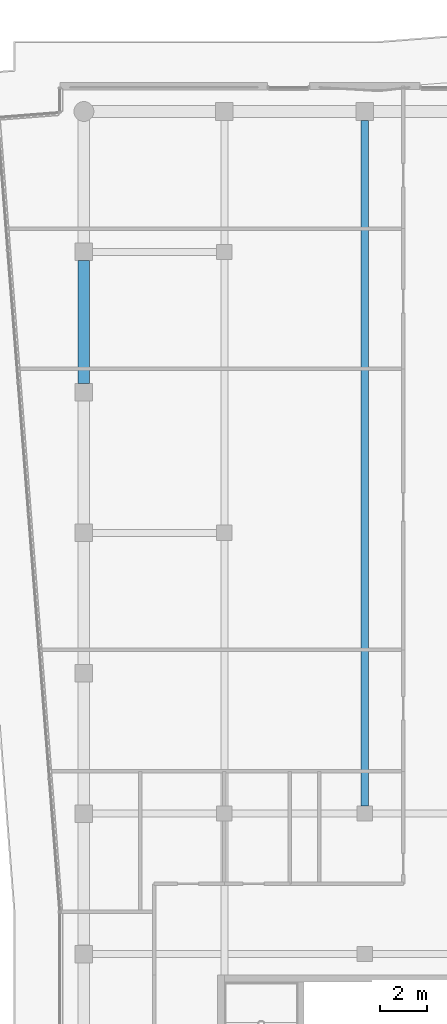
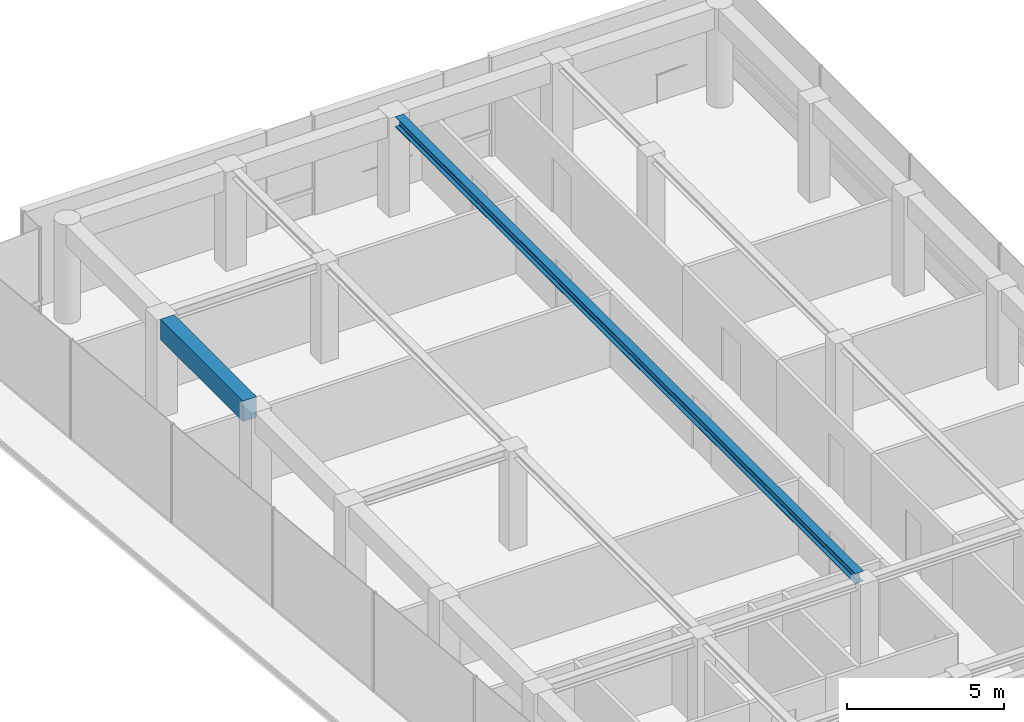
# One storey, part 12 of 23: 2 beams.
"""IFC4 building model written with IfcOpenShell, lengths in metres."""

from ifc_helpers import new_model, si_unit, direction, frame, origin, origin_2d, place, context, subcontext, project, spatial, rectangle, i_section, extrude, material, material_profile, profile_set, type_object, element, save


model = new_model("IFC4")

# Units and contexts
model_context = context("Model", 3, precision=1e-05, world=origin(), true_north=direction((0.0, 1.0)))
body_context = subcontext(model_context, "Body", "Model", "MODEL_VIEW")
ifc_project = project(units=[si_unit("LENGTHUNIT", "METRE"), si_unit("AREAUNIT", "SQUARE_METRE"), si_unit("VOLUMEUNIT", "CUBIC_METRE"), si_unit("PLANEANGLEUNIT", "RADIAN"), si_unit("MASSUNIT", "GRAM", prefix="KILO")], contexts=[model_context])

# Site, building, storey
site_placement = place(None, origin())
site = spatial("IfcSite", under=ifc_project, at=site_placement, CompositionType="ELEMENT")
building_placement = place(site_placement, origin())
building = spatial("IfcBuilding", under=site, at=building_placement, Name="Welwitschia Terrace Campus", CompositionType="ELEMENT")
storey_placement = place(building_placement, frame((0.0, 0.0, 306.199951171875)))
storey = spatial("IfcBuildingStorey", under=building, at=storey_placement, Name="L68", CompositionType="ELEMENT", Elevation=306.199951171875)

# Beams
ifc_material_1 = material(Name="Steel S355", Category="steel")
ifc_material_profile_1 = material_profile(ifc_material_1, i_section(OverallWidth=0.300048828125, OverallDepth=0.39990234375, WebThickness=0.013427734375, FlangeThickness=0.02392578125, FilletRadius=0.027099609375, at=origin_2d()))
ifc_profile_set_1 = profile_set([ifc_material_profile_1], Name="Steel S355")
beam_type_1 = type_object("IfcBeamType", Name="Primary beam HE 400 B", PredefinedType="BEAM", material=ifc_profile_set_1)
beam_1_placement = place(storey_placement, frame((12.0, 61.62451171875, 3.650146484375), z_axis=(0.0, -1.0, 0.0), x_axis=(1.0, 0.0, 0.0)))
element("IfcBeam", 1, at=beam_1_placement, inside=storey, type_object=beam_type_1, Name="Primary beam PB6", PredefinedType="BEAM", context=body_context, shape_type="SweptSolid", body=[
    extrude(i_section(OverallWidth=0.300048828125, OverallDepth=0.39990234375, WebThickness=0.013427734375, FlangeThickness=0.02392578125, FilletRadius=0.027099609375, at=origin_2d()), origin(), (0.0, 0.0, 1.0), 29.299072265625),
])
ifc_material_2 = material(Name="Concrete C50/60", Category="concrete")
ifc_material_profile_2 = material_profile(ifc_material_2, rectangle(XDim=0.5, YDim=0.800048828125, at=origin_2d()))
ifc_profile_set_2 = profile_set([ifc_material_profile_2], Name="Concrete C50/60")
beam_type_2 = type_object("IfcBeamType", Name="Ring spandrel 500x800", PredefinedType="SPANDREL", material=ifc_profile_set_2)
beam_2_placement = place(storey_placement, frame((0.0, 55.62451171875, 3.449951171875), z_axis=(0.0, -1.0, 0.0), x_axis=(1.0, 0.0, 0.0)))
element("IfcBeam", 2, at=beam_2_placement, inside=storey, type_object=beam_type_2, Name="Spandrel SP4", PredefinedType="SPANDREL", context=body_context, shape_type="SweptSolid", body=[
    extrude(rectangle(XDim=0.5, YDim=0.800048828125, at=origin_2d()), origin(), (0.0, 0.0, 1.0), 5.2490234375),
])

save(model, "model.ifc")
